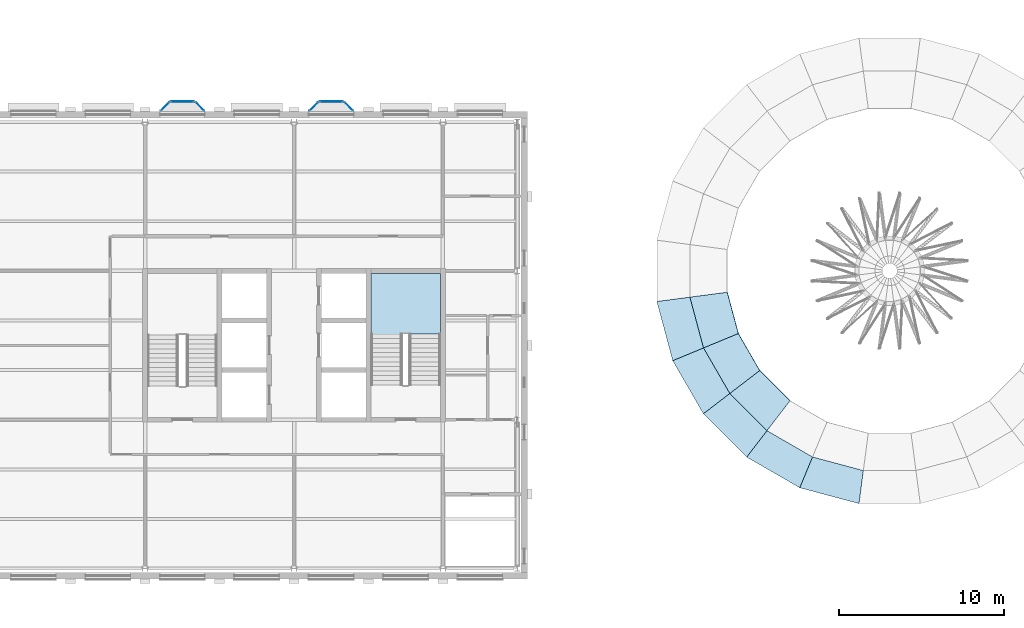
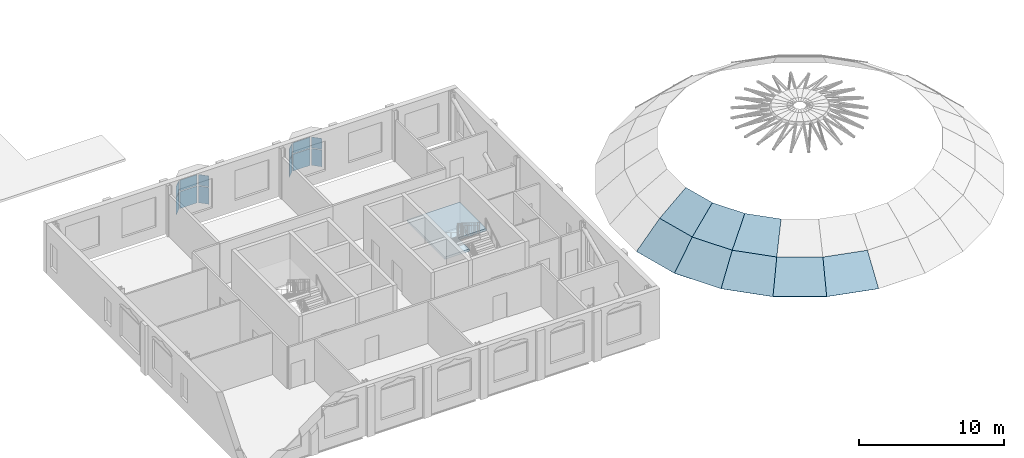
# One storey, part 5 of 15: 20 plates, 1 slab, 7 elements without a shape of their own.
"""IFC4 building model written with IfcOpenShell, lengths in metres."""

import ifcopenshell
import ifcopenshell.guid

model = None  # the IFC model being written
_history = None  # IfcOwnerHistory: only IFC2X3 demands one
_inside = {}  # id of a spatial element -> (the spatial element, [elements in it])
_under = {}  # id of a project, library or spatial element -> (it, [spatial elements below it])
_declared = {}  # id of a project -> (the project, [libraries it declares])
_typed = {}  # id of a type object -> (the type object, [elements of that type])
_made_of = {}  # id of a material, layer set ... -> (it, [elements and type objects made of it])


def new_model(schema):
    """Start an empty IFC model of exactly this schema.

    Asked for "IFC4X3", IfcOpenShell would pick the latest addendum, in which some entities
    have other attributes; the version numbers below select the first issue.
    IFC2X3 requires an IfcOwnerHistory on every rooted entity: one is made here for all.
    """
    global model, _history
    if schema == "IFC4X3":
        model = ifcopenshell.file(schema_version=(4, 3, 0, 0))
    else:
        model = ifcopenshell.file(schema=schema)
    _inside.clear()
    _under.clear()
    _declared.clear()
    _typed.clear()
    _made_of.clear()
    _history = None
    if model.schema == "IFC2X3":
        org = make("IfcOrganization", Name="unknown")
        user = make(
            "IfcPersonAndOrganization",
            ThePerson=make("IfcPerson", FamilyName="unknown"),
            TheOrganization=org,
        )
        app = make(
            "IfcApplication",
            ApplicationDeveloper=org,
            Version="unknown",
            ApplicationFullName="unknown",
            ApplicationIdentifier="unknown",
        )
        _history = make(
            "IfcOwnerHistory",
            OwningUser=user,
            OwningApplication=app,
            ChangeAction="ADDED",
            CreationDate=0,
        )
    return model


def make(cls, **values):
    """One entity of the class cls with the attributes given. An attribute that is None is left unset."""
    return model.create_entity(
        cls, **{name: value for name, value in values.items() if value is not None}
    )


def rooted(cls, **values):
    """An entity with a GlobalId (a new one), such as an element, a storey or a relation."""
    return make(cls, GlobalId=ifcopenshell.guid.new(), OwnerHistory=_history, **values)


def si_unit(unit_type, name, prefix=None):
    """IfcSIUnit, for example si_unit("LENGTHUNIT", "METRE", prefix="MILLI")."""
    return make("IfcSIUnit", UnitType=unit_type, Prefix=prefix, Name=name)


def assignment(units):
    """IfcUnitAssignment: the units of a project."""
    return None if units is None else make("IfcUnitAssignment", Units=units)


def point(xyz):
    """IfcCartesianPoint."""
    return None if xyz is None else make("IfcCartesianPoint", Coordinates=xyz)


def direction(xyz):
    """IfcDirection."""
    return None if xyz is None else make("IfcDirection", DirectionRatios=xyz)


def frame(location, z_axis=None, x_axis=None):
    """IfcAxis2Placement3D, a coordinate frame: its origin and axes. An axis left out is left unset."""
    return make(
        "IfcAxis2Placement3D",
        Location=point(location),
        Axis=direction(z_axis),
        RefDirection=direction(x_axis),
    )


def frame_2d(location, x_axis=None):
    """IfcAxis2Placement2D, a coordinate frame in the plane: its origin and x axis."""
    return make(
        "IfcAxis2Placement2D", Location=point(location), RefDirection=direction(x_axis)
    )


def origin():
    """The frame at (0, 0, 0) with its axes left unset."""
    return frame((0.0, 0.0, 0.0))


def origin_2d():
    """The frame at (0, 0) in the plane with its x axis left unset."""
    return frame_2d((0.0, 0.0))


def place(relative_to, where):
    """IfcLocalPlacement: puts the frame where relative to a parent placement (None: the world)."""
    return make(
        "IfcLocalPlacement", PlacementRelTo=relative_to, RelativePlacement=where
    )


def context(
    kind, dimensions, precision=None, world=None, true_north=None, identifier=None
):
    """IfcGeometricRepresentationContext, for example the 3D "Model" context."""
    return make(
        "IfcGeometricRepresentationContext",
        ContextIdentifier=identifier,
        ContextType=kind,
        CoordinateSpaceDimension=dimensions,
        Precision=precision,
        WorldCoordinateSystem=world,
        TrueNorth=true_north,
    )


def subcontext(parent, identifier, kind, view, scale=None):
    """IfcGeometricRepresentationSubContext, for example "Body" below "Model"."""
    return make(
        "IfcGeometricRepresentationSubContext",
        ContextIdentifier=identifier,
        ContextType=kind,
        ParentContext=parent,
        TargetScale=scale,
        TargetView=view,
    )


def project(units=None, contexts=None):
    """IfcProject with its units and contexts."""
    return rooted(
        "IfcProject",
        Name="project",
        RepresentationContexts=contexts,
        UnitsInContext=assignment(units),
    )


def spatial(cls, under=None, at=None, **own):
    """A site, building, storey or space (cls), placed at a placement, below another one or the project."""
    s = rooted(cls, ObjectPlacement=at, **own)
    if under is not None:
        _under.setdefault(under.id(), (under, []))[1].append(s)
    return s


def polyline(points):
    """IfcPolyline through the points."""
    return make("IfcPolyline", Points=[point(p) for p in points])


def profile(cls, at=None, kind="AREA", **sizes):
    """A parametric profile (cls). Its sizes go by their IFC names, for example OverallWidth=200.0."""
    return make(cls, ProfileType=kind, Position=at, **sizes)


def rectangle(**sizes):
    """IfcRectangleProfileDef."""
    return profile("IfcRectangleProfileDef", **sizes)


def outline(outer, holes=None, kind="AREA"):
    """IfcArbitraryClosedProfileDef: a profile drawn as a closed curve; with holes, ...WithVoids."""
    if holes is None:
        return make("IfcArbitraryClosedProfileDef", ProfileType=kind, OuterCurve=outer)
    return make(
        "IfcArbitraryProfileDefWithVoids",
        ProfileType=kind,
        OuterCurve=outer,
        InnerCurves=holes,
    )


def extrude(swept, where, along, depth):
    """IfcExtrudedAreaSolid: the profile swept, set in the frame where, extruded along a direction by depth."""
    return make(
        "IfcExtrudedAreaSolid",
        SweptArea=swept,
        Position=where,
        ExtrudedDirection=direction(along),
        Depth=depth,
    )


def shape(context_of_items, identifier, shape_type, items):
    """IfcShapeRepresentation: the items that make up one representation, for example the "Body"."""
    return make(
        "IfcShapeRepresentation",
        ContextOfItems=context_of_items,
        RepresentationIdentifier=identifier,
        RepresentationType=shape_type,
        Items=items,
    )


def material(Name=None, Category=None):
    """IfcMaterial."""
    return make("IfcMaterial", Name=Name, Category=Category)


def layer(
    of_material, thickness, ventilated=None, Name=None, Category=None, Priority=None
):
    """IfcMaterialLayer: one layer of a wall or slab, of a material (None: an air gap)."""
    return make(
        "IfcMaterialLayer",
        Material=of_material,
        LayerThickness=thickness,
        IsVentilated=ventilated,
        Name=Name,
        Category=Category,
        Priority=Priority,
    )


def layer_set(layers, Name=None):
    """IfcMaterialLayerSet."""
    return make("IfcMaterialLayerSet", MaterialLayers=layers, LayerSetName=Name)


def made_of(thing, what):
    """Note that an element or type object is made of a material, layer set ...; save() writes the relation."""
    if what is not None:
        _made_of.setdefault(what.id(), (what, []))[1].append(thing)
    return thing


def type_object(cls, material=None, **own):
    """A type object (cls), such as IfcWallType, which elements share."""
    return made_of(rooted(cls, **own), material)


def element(
    cls,
    number,
    at=None,
    inside=None,
    cuts=None,
    type_object=None,
    material=None,
    context=None,
    identifier="Body",
    shape_type=None,
    held_by="IfcProductDefinitionShape",
    body=None,
    shapes=None,
    **own,
):
    """One element of the class cls, such as IfcWall. Its Tag is "e" and its number.

    at: its placement. inside: the storey or other place that contains it. cuts: it is an
    opening in that element (IfcRelVoidsElement). A single representation is given by context,
    identifier, shape_type and body (its items); several are given by shapes. held_by: the class
    of the entity that holds the representations. save() writes the other relations.
    """
    e = rooted(cls, Tag="e%d" % number, ObjectPlacement=at, **own)
    if body is not None:
        shapes = [shape(context, identifier, shape_type, body)]
    if shapes is not None:
        e.Representation = make(held_by, Representations=shapes)
    if inside is not None:
        _inside.setdefault(inside.id(), (inside, []))[1].append(e)
    if cuts is not None:
        rooted(
            "IfcRelVoidsElement", RelatingBuildingElement=cuts, RelatedOpeningElement=e
        )
    if type_object is not None:
        _typed.setdefault(type_object.id(), (type_object, []))[1].append(e)
    return made_of(e, material)


def aggregate(whole, parts):
    """IfcRelAggregates: a whole, such as a stair, and the parts it consists of."""
    return rooted("IfcRelAggregates", RelatingObject=whole, RelatedObjects=parts)


def save(model, path):
    """Write the relations noted so far, then the file.

    IfcRelAggregates (storeys below a building ...), IfcRelContainedInSpatialStructure (elements
    in a storey), IfcRelDefinesByType, IfcRelAssociatesMaterial and IfcRelDeclares: one each for
    every whole, place, type object, material and project.
    """
    for whole, parts in _under.values():
        aggregate(whole, parts)
    for where, things in _inside.values():
        rooted(
            "IfcRelContainedInSpatialStructure",
            RelatedElements=things,
            RelatingStructure=where,
        )
    for kind, things in _typed.values():
        rooted("IfcRelDefinesByType", RelatedObjects=things, RelatingType=kind)
    for what, things in _made_of.values():
        rooted("IfcRelAssociatesMaterial", RelatedObjects=things, RelatingMaterial=what)
    for by, libraries in _declared.values():
        rooted("IfcRelDeclares", RelatingContext=by, RelatedDefinitions=libraries)
    model.write(path)


model = new_model("IFC4")

# Units and contexts
model_context = context("Model", 3, precision=1e-05, world=origin(), true_north=direction((0.0, 1.0)))
body_context = subcontext(model_context, "Body", "Model", "MODEL_VIEW")
ifc_project = project(units=[si_unit("LENGTHUNIT", "METRE"), si_unit("AREAUNIT", "SQUARE_METRE"), si_unit("VOLUMEUNIT", "CUBIC_METRE"), si_unit("PLANEANGLEUNIT", "RADIAN"), si_unit("MASSUNIT", "GRAM", prefix="KILO")], contexts=[model_context])

# Site, building, storey
site_placement = place(None, origin())
site = spatial("IfcSite", under=ifc_project, at=site_placement, CompositionType="ELEMENT")
building_placement = place(site_placement, origin())
building = spatial("IfcBuilding", under=site, at=building_placement, Name="Hortulan Conservatory and Botanical Research Centre", CompositionType="ELEMENT")
storey_placement = place(building_placement, frame((0.0, 0.0, 23.39990234375)))
storey = spatial("IfcBuildingStorey", under=building, at=storey_placement, Name="L05", CompositionType="ELEMENT", Elevation=23.39990234375)

# Plates
ifc_material_1 = material(Name="Low-e laminated glass", Category="glass")
ifc_layer_1 = layer(ifc_material_1, 0.030029296875)
ifc_layer_set_1 = layer_set([ifc_layer_1], Name="Dome Glazing Panel 30")
plate_type_1 = type_object("IfcPlateType", Name="Dome Glazing Panel 30", PredefinedType="SHEET", material=ifc_layer_set_1)
plate_1_placement = place(storey_placement, frame((39.9296875, 16.147705078125, -5.60791015625), z_axis=(-0.672331337627, -0.180135919613, 0.717998344643), x_axis=(0.258790491577, -0.96593347669, -8.854813e-06)))
element("IfcPlate", 1, at=plate_1_placement, inside=storey, type_object=plate_type_1, Name="Dome glazing panel", PredefinedType="SHEET", context=body_context, shape_type="SweptSolid", body=[
    extrude(outline(polyline([(0.0, 0.0), (3.704815225036295, 0.0), (3.4418875209705293, 2.7825766798388), (0.263013181871933, 2.782489108197208), (0.0, 0.0)])), origin(), (0.0, 0.0, -1.0), 0.030029296875),
])
plate_2_placement = place(storey_placement, frame((40.888427734375, 12.569091796875, -5.60791015625), z_axis=(-0.602781169641, -0.348036569996, 0.718000980132), x_axis=(0.500022596082, -0.866012357537, 3.27049e-07)))
element("IfcPlate", 2, at=plate_2_placement, inside=storey, type_object=plate_type_1, Name="Dome glazing panel", PredefinedType="SHEET", context=body_context, shape_type="SweptSolid", body=[
    extrude(outline(polyline([(0.0, 0.0), (3.7049086576722163, 0.0), (3.4418321090884456, 2.782542144144782), (0.2632587614988792, 2.7825453784847487), (0.0, 0.0)])), origin(), (0.0, 0.0, -1.0), 0.030029296875),
])
plate_3_placement = place(storey_placement, frame((42.740966796875, 9.360595703125, -5.60791015625), z_axis=(-0.492173764936, -0.492173764936, 0.71800415752), x_axis=(0.707106781187, -0.707106781187, 0.0)))
element("IfcPlate", 3, at=plate_3_placement, inside=storey, type_object=plate_type_1, Name="Dome glazing panel", PredefinedType="SHEET", context=body_context, shape_type="SweptSolid", body=[
    extrude(outline(polyline([(0.0, 0.0), (3.7047147276033474, 0.0), (3.4417939200478997, 2.7825568643450627), (0.26292080755544733, 2.7825568643450627), (0.0, 0.0)])), origin(), (0.0, 0.0, -1.0), 0.030029296875),
])
plate_4_placement = place(storey_placement, frame((45.360595703125, 6.740966796875, -5.60791015625), z_axis=(-0.348036569996, -0.602781169641, 0.718000980132), x_axis=(0.866012357537, -0.500022596082, -3.27049e-07)))
element("IfcPlate", 4, at=plate_4_placement, inside=storey, type_object=plate_type_1, Name="Dome glazing panel", PredefinedType="SHEET", context=body_context, shape_type="SweptSolid", body=[
    extrude(outline(polyline([(0.0, 0.0), (3.7049086576722163, 0.0), (3.441649896173337, 2.7825453784847483), (0.26307654858377044, 2.782542144144782), (0.0, 0.0)])), origin(), (0.0, 0.0, -1.0), 0.030029296875),
])
plate_5_placement = place(storey_placement, frame((48.569091796875, 4.888427734375, -5.60791015625), z_axis=(-0.180135919613, -0.672331337627, 0.717998344643), x_axis=(0.96593347669, -0.258790491577, 8.854813e-06)))
element("IfcPlate", 5, at=plate_5_placement, inside=storey, type_object=plate_type_1, Name="Dome glazing panel", PredefinedType="SHEET", context=body_context, shape_type="SweptSolid", body=[
    extrude(outline(polyline([(0.0, 0.0), (3.704815225036295, 0.0), (3.441802043164362, 2.782489108197208), (0.26292770406576554, 2.7825766798388), (0.0, 0.0)])), origin(), (0.0, 0.0, -1.0), 0.030029296875),
])
plate_6_placement = place(storey_placement, frame((41.927490234375, 16.41064453125, -3.671142578125), z_axis=(-0.563572522042, -0.150989585877, 0.812150329284), x_axis=(0.258808726506, -0.96592859097, 1.5180425e-05)))
element("IfcPlate", 6, at=plate_6_placement, inside=storey, type_object=plate_type_1, Name="Dome glazing panel", PredefinedType="SHEET", context=body_context, shape_type="SweptSolid", body=[
    extrude(outline(polyline([(0.0, 0.0), (3.1788743400778485, -1.1102230246251565e-16), (2.881593789800004, 2.7792324860638544), (0.29724394981675195, 2.7793824362834103), (0.0, 0.0)])), origin(), (0.0, 0.0, -1.0), 0.030029296875),
])
plate_7_placement = place(storey_placement, frame((42.750244140625, 13.340087890625, -3.671142578125), z_axis=(-0.505295568728, -0.291738179215, 0.812136209642), x_axis=(0.500016746143, -0.866015735142, 7.871061e-06)))
element("IfcPlate", 7, at=plate_7_placement, inside=storey, type_object=plate_type_1, Name="Dome glazing panel", PredefinedType="SHEET", context=body_context, shape_type="SweptSolid", body=[
    extrude(outline(polyline([(0.0, 0.0), (3.1785733474423767, 2.220446049250313e-16), (2.8816179897495964, 2.7791749670922696), (0.29709140353806257, 2.779252712095733), (0.0, 0.0)])), origin(), (0.0, 0.0, -1.0), 0.030029296875),
])
plate_8_placement = place(storey_placement, frame((44.339599609375, 10.58740234375, -3.671142578125), z_axis=(-0.412584942456, -0.412584942456, 0.812125193869), x_axis=(0.707106781187, -0.707106781187, 0.0)))
element("IfcPlate", 8, at=plate_8_placement, inside=storey, type_object=plate_type_1, Name="Dome glazing panel", PredefinedType="SHEET", context=body_context, shape_type="SweptSolid", body=[
    extrude(outline(polyline([(0.0, 0.0), (3.178873112492453, 0.0), (2.8815982401283815, 2.779140808484649), (0.297274872364071, 2.7791408084846485), (0.0, 0.0)])), origin(), (0.0, 0.0, -1.0), 0.030029296875),
])

# Curtain wall, plates
ifc_material_2 = material(Name="Bronze-finished aluminium", Category="aluminium")
ifc_layer_2 = layer(ifc_material_2, 0.10009765625)
ifc_layer_set_2 = layer_set([ifc_layer_2], Name="Oriel Curtain Wall 1350 module")
curtain_wall_type = type_object("IfcCurtainWallType", Name="Oriel Curtain Wall 1350 module", PredefinedType="NOTDEFINED", material=ifc_layer_set_2)
curtain_wall_1_placement = place(storey_placement, origin())
curtain_wall_1 = element("IfcCurtainWall", 9, at=curtain_wall_1_placement, inside=storey, type_object=curtain_wall_type, Name="Oriel glazing", PredefinedType="NOTDEFINED")
ifc_layer_3 = layer(ifc_material_1, 0.028076171875)
ifc_layer_set_3 = layer_set([ifc_layer_3], Name="Laminated Glass Panel 28")
plate_type_2 = type_object("IfcPlateType", Name="Laminated Glass Panel 28", PredefinedType="CURTAIN_PANEL", material=ifc_layer_set_3)
plate_9_placement = place(storey_placement, frame((10.199951171875, 27.93603515625, 0.9599609375), z_axis=(0.0, 0.0, 1.0), x_axis=(0.707106781187, 0.707106781187, 0.0)))
plate_9 = element("IfcPlate", 10, at=plate_9_placement, type_object=plate_type_2, Name="CW2 panel 1.1", PredefinedType="CURTAIN_PANEL", context=body_context, shape_type="SweptSolid", body=[
    extrude(rectangle(XDim=0.728515625, YDim=0.028076171875, at=origin_2d()), origin(), (0.0, 0.0, 1.0), 1.409912109375),
])
plate_10_placement = place(storey_placement, frame((10.199951171875, 27.93603515625, 2.43017578125), z_axis=(0.0, 0.0, 1.0), x_axis=(0.707106781187, 0.707106781187, 0.0)))
plate_10 = element("IfcPlate", 11, at=plate_10_placement, type_object=plate_type_2, Name="CW2 panel 1.2", PredefinedType="CURTAIN_PANEL", context=body_context, shape_type="SweptSolid", body=[
    extrude(rectangle(XDim=0.728515625, YDim=0.028076171875, at=origin_2d()), origin(), (0.0, 0.0, 1.0), 0.909912109375),
])
aggregate(curtain_wall_1, [plate_9, plate_10])

curtain_wall_2_placement = place(storey_placement, origin())
curtain_wall_2 = element("IfcCurtainWall", 12, at=curtain_wall_2_placement, inside=storey, type_object=curtain_wall_type, Name="Oriel glazing", PredefinedType="NOTDEFINED")
plate_11_placement = place(storey_placement, frame((11.25, 28.236083984375, 0.9599609375), z_axis=(0.0, 0.0, 1.0), x_axis=(1.0, 0.0, 0.0)))
plate_11 = element("IfcPlate", 13, at=plate_11_placement, type_object=plate_type_2, Name="CW2 panel 1.1", PredefinedType="CURTAIN_PANEL", context=body_context, shape_type="SweptSolid", body=[
    extrude(rectangle(XDim=1.3798828125, YDim=0.028076171875, at=origin_2d()), origin(), (0.0, 0.0, 1.0), 1.409912109375),
])
plate_12_placement = place(storey_placement, frame((11.25, 28.236083984375, 2.43017578125), z_axis=(0.0, 0.0, 1.0), x_axis=(1.0, 0.0, 0.0)))
plate_12 = element("IfcPlate", 14, at=plate_12_placement, type_object=plate_type_2, Name="CW2 panel 1.2", PredefinedType="CURTAIN_PANEL", context=body_context, shape_type="SweptSolid", body=[
    extrude(rectangle(XDim=1.3798828125, YDim=0.028076171875, at=origin_2d()), origin(), (0.0, 0.0, 1.0), 0.909912109375),
])
aggregate(curtain_wall_2, [plate_11, plate_12])

curtain_wall_3_placement = place(storey_placement, origin())
curtain_wall_3 = element("IfcCurtainWall", 15, at=curtain_wall_3_placement, inside=storey, type_object=curtain_wall_type, Name="Oriel glazing", PredefinedType="NOTDEFINED")
plate_13_placement = place(storey_placement, frame((12.300048828125, 27.93603515625, 0.9599609375), z_axis=(0.0, 0.0, 1.0), x_axis=(0.707106781187, -0.707106781187, 0.0)))
plate_13 = element("IfcPlate", 16, at=plate_13_placement, type_object=plate_type_2, Name="CW2 panel 1.1", PredefinedType="CURTAIN_PANEL", context=body_context, shape_type="SweptSolid", body=[
    extrude(rectangle(XDim=0.728515625, YDim=0.028076171875, at=origin_2d()), origin(), (0.0, 0.0, 1.0), 1.409912109375),
])
plate_14_placement = place(storey_placement, frame((12.300048828125, 27.93603515625, 2.43017578125), z_axis=(0.0, 0.0, 1.0), x_axis=(0.707106781187, -0.707106781187, 0.0)))
plate_14 = element("IfcPlate", 17, at=plate_14_placement, type_object=plate_type_2, Name="CW2 panel 1.2", PredefinedType="CURTAIN_PANEL", context=body_context, shape_type="SweptSolid", body=[
    extrude(rectangle(XDim=0.728515625, YDim=0.028076171875, at=origin_2d()), origin(), (0.0, 0.0, 1.0), 0.909912109375),
])
aggregate(curtain_wall_3, [plate_13, plate_14])

curtain_wall_4_placement = place(storey_placement, origin())
curtain_wall_4 = element("IfcCurtainWall", 18, at=curtain_wall_4_placement, inside=storey, type_object=curtain_wall_type, Name="Oriel glazing", PredefinedType="NOTDEFINED")
plate_15_placement = place(storey_placement, frame((19.199951171875, 27.93603515625, 0.9599609375), z_axis=(0.0, 0.0, 1.0), x_axis=(0.707106781187, 0.707106781187, 0.0)))
plate_15 = element("IfcPlate", 19, at=plate_15_placement, type_object=plate_type_2, Name="CW2 panel 1.1", PredefinedType="CURTAIN_PANEL", context=body_context, shape_type="SweptSolid", body=[
    extrude(rectangle(XDim=0.728515625, YDim=0.028076171875, at=origin_2d()), origin(), (0.0, 0.0, 1.0), 1.409912109375),
])
plate_16_placement = place(storey_placement, frame((19.199951171875, 27.93603515625, 2.43017578125), z_axis=(0.0, 0.0, 1.0), x_axis=(0.707106781187, 0.707106781187, 0.0)))
plate_16 = element("IfcPlate", 20, at=plate_16_placement, type_object=plate_type_2, Name="CW2 panel 1.2", PredefinedType="CURTAIN_PANEL", context=body_context, shape_type="SweptSolid", body=[
    extrude(rectangle(XDim=0.728515625, YDim=0.028076171875, at=origin_2d()), origin(), (0.0, 0.0, 1.0), 0.909912109375),
])
aggregate(curtain_wall_4, [plate_15, plate_16])

curtain_wall_5_placement = place(storey_placement, origin())
curtain_wall_5 = element("IfcCurtainWall", 21, at=curtain_wall_5_placement, inside=storey, type_object=curtain_wall_type, Name="Oriel glazing", PredefinedType="NOTDEFINED")
plate_17_placement = place(storey_placement, frame((20.25, 28.236083984375, 0.9599609375), z_axis=(0.0, 0.0, 1.0), x_axis=(1.0, 0.0, 0.0)))
plate_17 = element("IfcPlate", 22, at=plate_17_placement, type_object=plate_type_2, Name="CW2 panel 1.1", PredefinedType="CURTAIN_PANEL", context=body_context, shape_type="SweptSolid", body=[
    extrude(rectangle(XDim=1.3798828125, YDim=0.028076171875, at=origin_2d()), origin(), (0.0, 0.0, 1.0), 1.409912109375),
])
plate_18_placement = place(storey_placement, frame((20.25, 28.236083984375, 2.43017578125), z_axis=(0.0, 0.0, 1.0), x_axis=(1.0, 0.0, 0.0)))
plate_18 = element("IfcPlate", 23, at=plate_18_placement, type_object=plate_type_2, Name="CW2 panel 1.2", PredefinedType="CURTAIN_PANEL", context=body_context, shape_type="SweptSolid", body=[
    extrude(rectangle(XDim=1.3798828125, YDim=0.028076171875, at=origin_2d()), origin(), (0.0, 0.0, 1.0), 0.909912109375),
])
aggregate(curtain_wall_5, [plate_17, plate_18])

curtain_wall_6_placement = place(storey_placement, origin())
curtain_wall_6 = element("IfcCurtainWall", 24, at=curtain_wall_6_placement, inside=storey, type_object=curtain_wall_type, Name="Oriel glazing", PredefinedType="NOTDEFINED")
plate_19_placement = place(storey_placement, frame((21.300048828125, 27.93603515625, 0.9599609375), z_axis=(0.0, 0.0, 1.0), x_axis=(0.707106781187, -0.707106781187, 0.0)))
plate_19 = element("IfcPlate", 25, at=plate_19_placement, type_object=plate_type_2, Name="CW2 panel 1.1", PredefinedType="CURTAIN_PANEL", context=body_context, shape_type="SweptSolid", body=[
    extrude(rectangle(XDim=0.728515625, YDim=0.028076171875, at=origin_2d()), origin(), (0.0, 0.0, 1.0), 1.409912109375),
])
plate_20_placement = place(storey_placement, frame((21.300048828125, 27.93603515625, 2.43017578125), z_axis=(0.0, 0.0, 1.0), x_axis=(0.707106781187, -0.707106781187, 0.0)))
plate_20 = element("IfcPlate", 26, at=plate_20_placement, type_object=plate_type_2, Name="CW2 panel 1.2", PredefinedType="CURTAIN_PANEL", context=body_context, shape_type="SweptSolid", body=[
    extrude(rectangle(XDim=0.728515625, YDim=0.028076171875, at=origin_2d()), origin(), (0.0, 0.0, 1.0), 0.909912109375),
])
aggregate(curtain_wall_6, [plate_19, plate_20])

# Stair, slab
ifc_material_3 = material(Name="Concrete N40 (40 MPa, AS 3600)", Category="concrete")
stair_type = type_object("IfcStairType", Name="Concrete Escape Stair 1950", PredefinedType="HALF_TURN_STAIR", material=ifc_material_3)
stair_placement = place(storey_placement, origin())
stair = element("IfcStair", 27, at=stair_placement, inside=storey, type_object=stair_type, Name="Stair T2 L05", PredefinedType="HALF_TURN_STAIR")
ifc_layer_4 = layer(ifc_material_3, 0.199951171875)
ifc_layer_set_4 = layer_set([ifc_layer_4], Name="Stair Landing 200")
slab_type = type_object("IfcSlabType", Name="Stair Landing 200", PredefinedType="LANDING", material=ifc_layer_set_4)
slab_placement = place(storey_placement, frame((0.0, 0.0, 1.900146484375)))
slab = element("IfcSlab", 28, at=slab_placement, type_object=slab_type, Name="Stair T2 L05 half landing 1", PredefinedType="LANDING", context=body_context, shape_type="SweptSolid", body=[
    extrude(outline(polyline([(26.85009765625, 14.179443359375), (24.60009765625, 14.179443359375), (24.60009765625, 12.639892578125), (22.64990234375, 12.639892578125), (22.64990234375, 14.179443359375), (22.64990234375, 14.179931640625), (22.64990234375, 14.18994140625), (22.64990234375, 17.85009765625), (26.85009765625, 17.85009765625), (26.85009765625, 14.18994140625), (26.85009765625, 14.179931640625), (26.85009765625, 14.179443359375)])), origin(), (0.0, 0.0, 1.0), 0.199951171875),
])
aggregate(stair, [slab])

save(model, "model.ifc")
